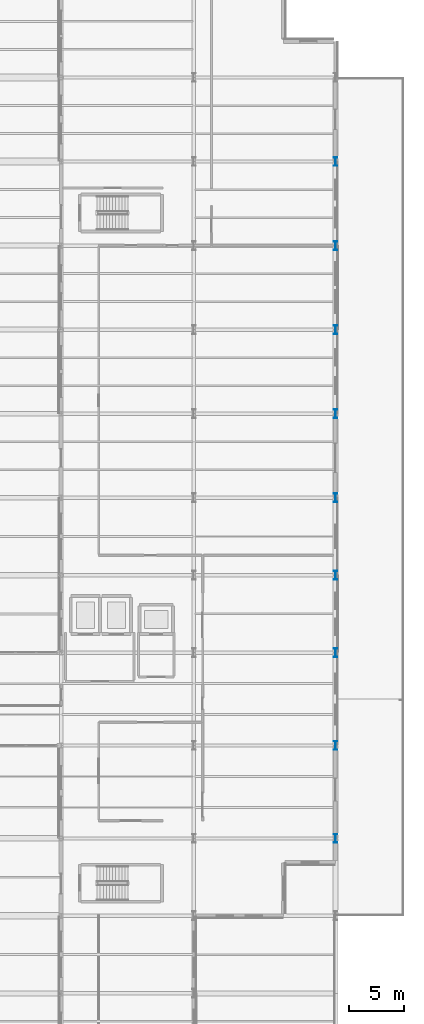
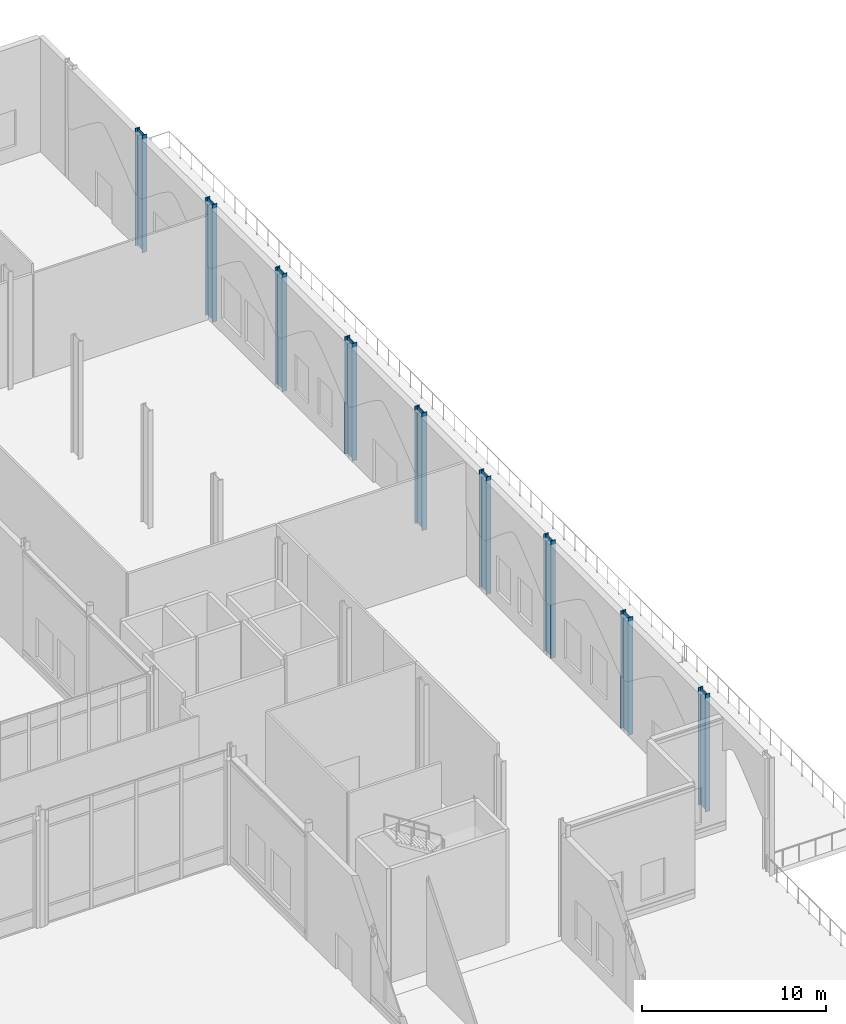
# One storey, part 22 of 176: 9 columns.
"""IFC4 building model written with IfcOpenShell, lengths in metres."""

from ifc_helpers import new_model, si_unit, direction, frame, origin, origin_2d, place, context, subcontext, project, spatial, i_section, extrude, material, material_profile, profile_set, type_object, element, save


model = new_model("IFC4")

# Units and contexts
model_context = context("Model", 3, precision=1e-05, world=origin(), true_north=direction((0.0, 1.0)))
body_context = subcontext(model_context, "Body", "Model", "MODEL_VIEW")
ifc_project = project(units=[si_unit("LENGTHUNIT", "METRE"), si_unit("AREAUNIT", "SQUARE_METRE"), si_unit("VOLUMEUNIT", "CUBIC_METRE"), si_unit("PLANEANGLEUNIT", "RADIAN"), si_unit("MASSUNIT", "GRAM", prefix="KILO")], contexts=[model_context])

# Site, building, storey
site_placement = place(None, origin())
site = spatial("IfcSite", under=ifc_project, at=site_placement, CompositionType="ELEMENT")
building_placement = place(site_placement, origin())
building = spatial("IfcBuilding", under=site, at=building_placement, Name="Vekula Escarpment Museum", CompositionType="ELEMENT")
storey_placement = place(building_placement, origin())
storey = spatial("IfcBuildingStorey", under=building, at=storey_placement, Name="L01", CompositionType="ELEMENT", Elevation=0.0)

# Columns
ifc_material = material(Name="Steel S355", Category="steel")
ifc_material_profile = material_profile(ifc_material, i_section(OverallWidth=0.300048828125, OverallDepth=0.800048828125, WebThickness=0.017578125, FlangeThickness=0.032958984375, FilletRadius=0.030029296875, at=origin_2d()), Name="HEB 800")
ifc_profile_set = profile_set([ifc_material_profile], Name="Steel S355")
column_type = type_object("IfcColumnType", Name="COL-S-HEB800", PredefinedType="COLUMN", material=ifc_profile_set)
for number, where, z_axis, x_axis, name in (
    (1, (191.800048828125, 59.60009765625, 0.0), (0.0, 0.0, 1.0), (1.0, 0.0, 0.0), "Column L01 (191.8,59.6)"),
    (2, (191.800048828125, 68.0, 0.0), (0.0, 0.0, 1.0), (1.0, 0.0, 0.0), "Column L01 (191.8,68.0)"),
    (3, (191.800048828125, 76.39990234375, 0.0), (0.0, 0.0, 1.0), (1.0, 0.0, 0.0), "Column L01 (191.8,76.4)"),
    (4, (191.800048828125, 83.39990234375, 0.0), (0.0, 0.0, 1.0), (1.0, 0.0, 0.0), "Column L01 (191.8,83.4)"),
    (5, (191.800048828125, 90.39990234375, 0.0), (0.0, 0.0, 1.0), (1.0, 0.0, 0.0), "Column L01 (191.8,90.4)"),
    (6, (191.800048828125, 98.0, 0.0), (0.0, 0.0, 1.0), (1.0, 0.0, 0.0), "Column L01 (191.8,98.0)"),
    (7, (191.800048828125, 105.60009765625, 0.0), (0.0, 0.0, 1.0), (1.0, 0.0, 0.0), "Column L01 (191.8,105.6)"),
    (8, (191.800048828125, 113.199951171875, 0.0), (0.0, 0.0, 1.0), (1.0, 0.0, 0.0), "Column L01 (191.8,113.2)"),
    (9, (191.800048828125, 120.800048828125, 0.0), (0.0, 0.0, 1.0), (1.0, 0.0, 0.0), "Column L01 (191.8,120.8)"),
):
    element("IfcColumn", number, at=place(storey_placement, frame(where, z_axis=z_axis, x_axis=x_axis)), inside=storey, type_object=column_type, Name=name, PredefinedType="COLUMN", context=body_context, shape_type="SweptSolid", body=[
        extrude(i_section(OverallWidth=0.300048828125, OverallDepth=0.800048828125, WebThickness=0.017578125, FlangeThickness=0.032958984375, FilletRadius=0.030029296875, at=origin_2d()), origin(), (0.0, 0.0, 1.0), 7.800048828125),
    ])

save(model, "model.ifc")
